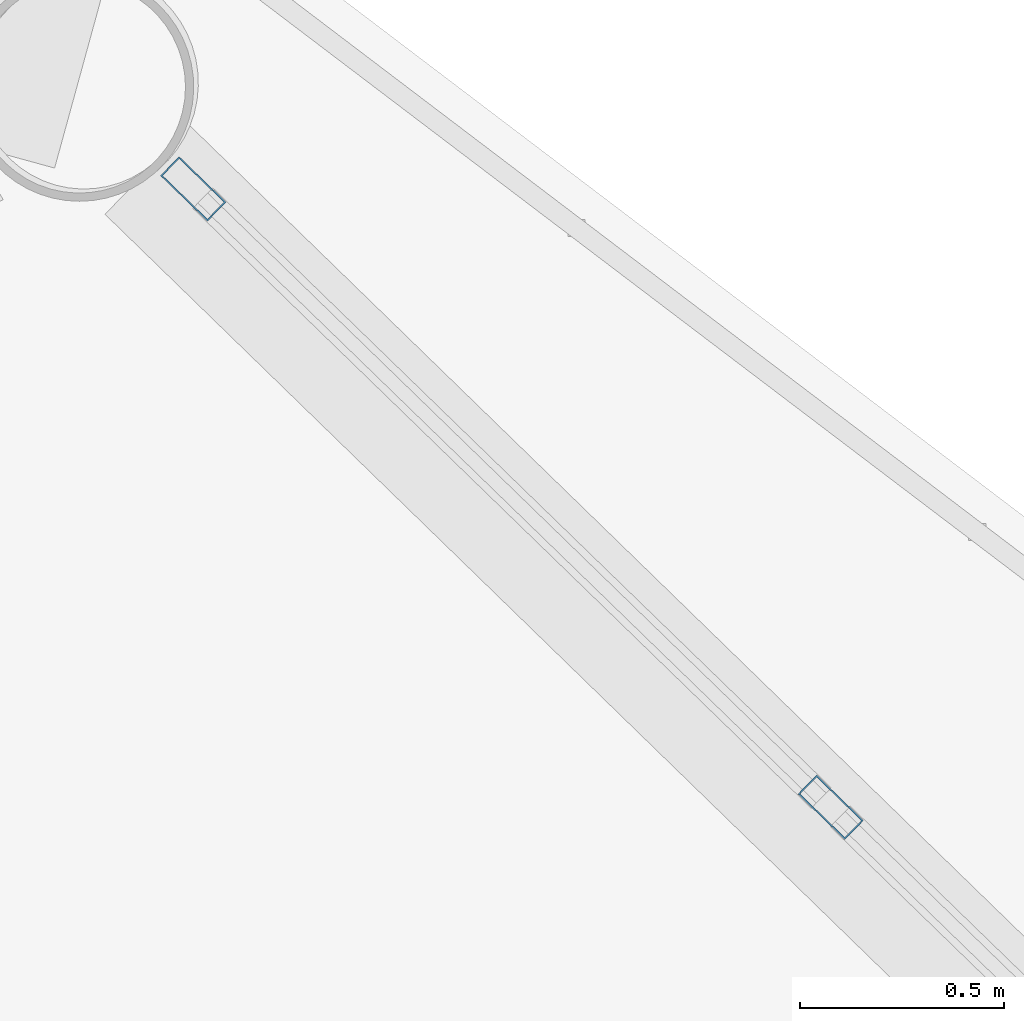
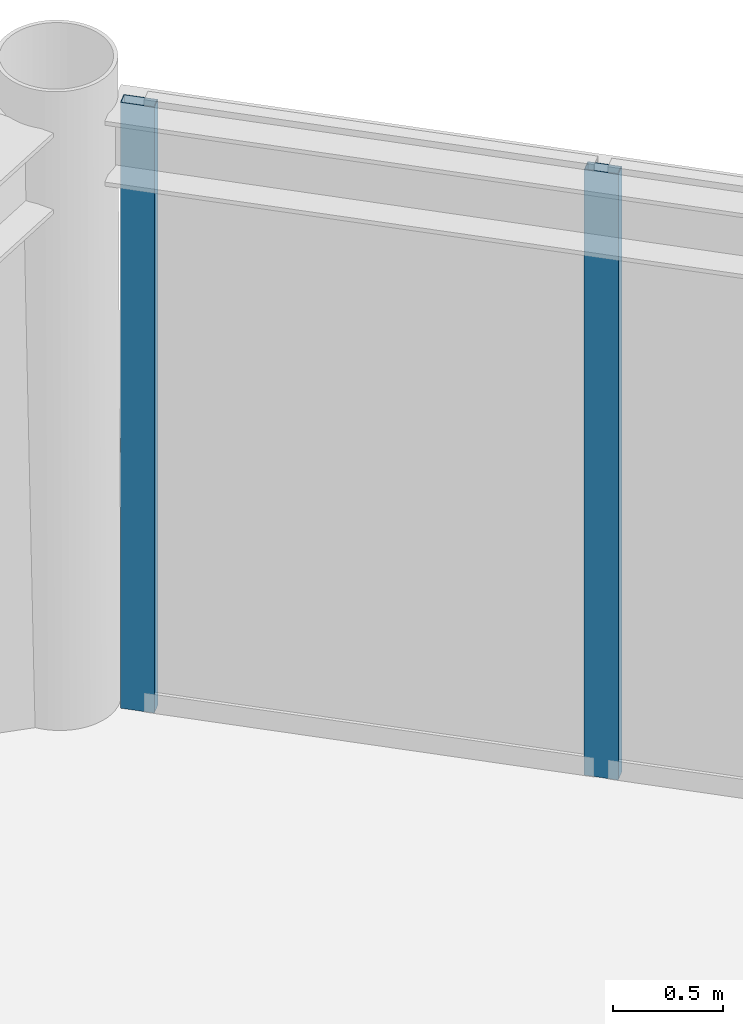
# One storey, part 20 of 27: 2 members, 1 element without a shape of its own.
"""IFC4 building model written with IfcOpenShell, lengths in metres."""

from ifc_helpers import new_model, si_unit, direction, frame, origin, origin_2d, place, context, subcontext, project, spatial, hollow_rectangle, extrude, material, layer, layer_set, material_profile, profile_set, type_object, element, aggregate, save


model = new_model("IFC4")

# Units and contexts
model_context = context("Model", 3, precision=1e-05, world=origin(), true_north=direction((0.0, 1.0)))
body_context = subcontext(model_context, "Body", "Model", "MODEL_VIEW")
ifc_project = project(units=[si_unit("LENGTHUNIT", "METRE"), si_unit("AREAUNIT", "SQUARE_METRE"), si_unit("VOLUMEUNIT", "CUBIC_METRE"), si_unit("PLANEANGLEUNIT", "RADIAN"), si_unit("MASSUNIT", "GRAM", prefix="KILO")], contexts=[model_context])

# Site, building, storey
site_placement = place(None, origin())
site = spatial("IfcSite", under=ifc_project, at=site_placement, CompositionType="ELEMENT")
building_placement = place(site_placement, origin())
building = spatial("IfcBuilding", under=site, at=building_placement, Name="Varnakorn Sky Granary", CompositionType="ELEMENT")
storey_placement = place(building_placement, frame((0.0, 0.0, 232.800048828125)))
storey = spatial("IfcBuildingStorey", under=building, at=storey_placement, Name="L59", CompositionType="ELEMENT", Elevation=232.800048828125)

# Curtain wall, members
ifc_material = material(Name="Anodised Bronze Aluminium Alloy 6063-T6", Category="aluminium")
ifc_layer = layer(ifc_material, 0.169921875, Name="Anodised Bronze Aluminium Alloy 6063-T6")
ifc_layer_set = layer_set([ifc_layer], Name="Anodised Bronze Aluminium Alloy 6063-T6")
curtain_wall_type = type_object("IfcCurtainWallType", Name="CW-LAB-1", PredefinedType="USERDEFINED", material=ifc_layer_set)
curtain_wall_placement = place(storey_placement, origin())
curtain_wall = element("IfcCurtainWall", 1, at=curtain_wall_placement, inside=storey, type_object=curtain_wall_type, Name="Unitised Curtain Wall CW5 CW-L59-B02", ObjectType="CURTAIN WALL", PredefinedType="USERDEFINED")
ifc_material_profile = material_profile(ifc_material, hollow_rectangle(XDim=0.06494140625, YDim=0.159912109375, WallThickness=0.00341796875, at=origin_2d()), Name="ALU MULL 65x160")
ifc_profile_set = profile_set([ifc_material_profile], Name="Anodised Bronze Aluminium Alloy 6063-T6")
member_type = type_object("IfcMemberType", Name="CW-LAB-1-MULL", PredefinedType="MULLION", material=ifc_profile_set)
member_1_placement = place(storey_placement, frame((14.4326171875, 15.392578125, 0.0), z_axis=(0.0, 0.0, 1.0), x_axis=(0.696278954574, 0.717771284893, 0.0)))
member_1 = element("IfcMember", 2, at=member_1_placement, type_object=member_type, Name="CW5 mullion 1", PredefinedType="MULLION", context=body_context, shape_type="SweptSolid", body=[
    extrude(hollow_rectangle(XDim=0.06494140625, YDim=0.159912109375, WallThickness=0.00341796875, at=origin_2d()), origin(), (0.0, 0.0, 1.0), 3.35986328125),
])
member_2_placement = place(storey_placement, frame((15.9921875, 13.879638671875, 0.0), z_axis=(0.0, 0.0, 1.0), x_axis=(0.696278954574, 0.717771284893, 0.0)))
member_2 = element("IfcMember", 3, at=member_2_placement, type_object=member_type, Name="CW5 mullion 2", PredefinedType="MULLION", context=body_context, shape_type="SweptSolid", body=[
    extrude(hollow_rectangle(XDim=0.06494140625, YDim=0.159912109375, WallThickness=0.00341796875, at=origin_2d()), origin(), (0.0, 0.0, 1.0), 3.35986328125),
])
aggregate(curtain_wall, [member_1, member_2])

save(model, "model.ifc")
